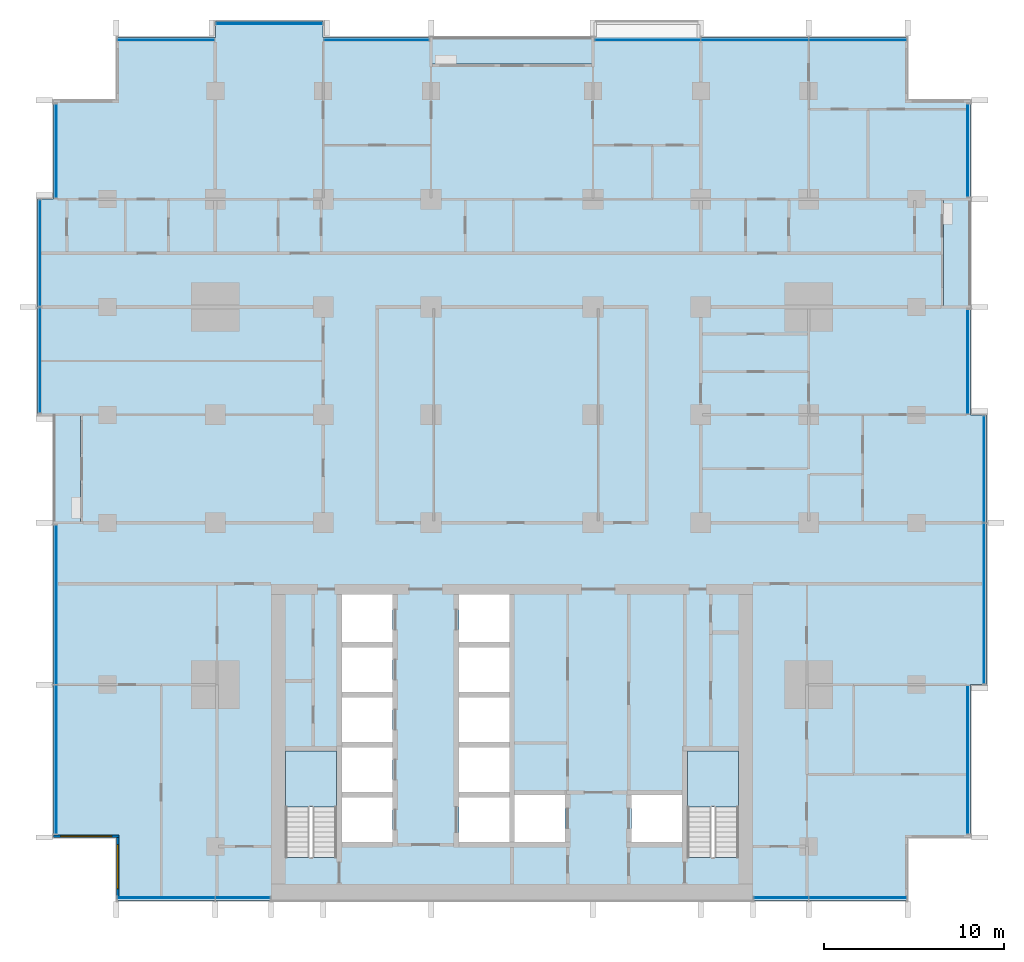
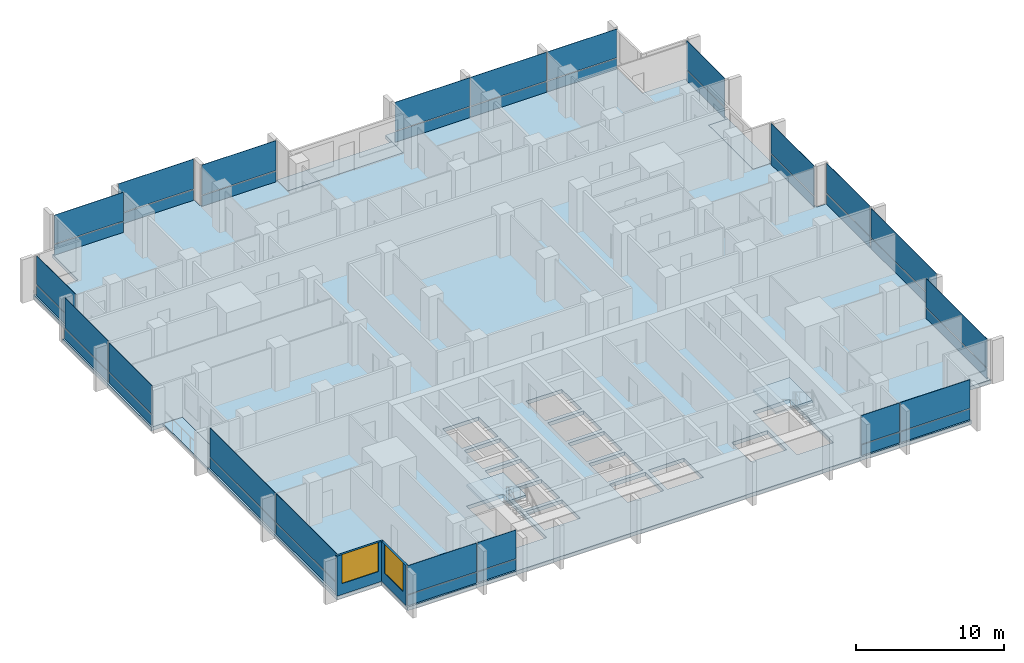
# One storey, part 6 of 17: 40 plates, 6 slabs, 2 walls, 2 windows, 2 openings, 17 elements without a shape of their own.
"""IFC4 building model written with IfcOpenShell, lengths in metres."""

from ifc_helpers import new_model, si_unit, direction, frame, frame_2d, origin, origin_2d, place, context, subcontext, project, spatial, polyline, rectangle, outline, extrude, material, layer, layer_set, type_object, element, fill, aggregate, save


model = new_model("IFC4")

# Units and contexts
model_context = context("Model", 3, precision=1e-05, world=origin(), true_north=direction((0.0, 1.0)))
body_context = subcontext(model_context, "Body", "Model", "MODEL_VIEW")
ifc_project = project(units=[si_unit("LENGTHUNIT", "METRE"), si_unit("AREAUNIT", "SQUARE_METRE"), si_unit("VOLUMEUNIT", "CUBIC_METRE"), si_unit("PLANEANGLEUNIT", "RADIAN"), si_unit("MASSUNIT", "GRAM", prefix="KILO")], contexts=[model_context])

# Site, building, storey
site_placement = place(None, origin())
site = spatial("IfcSite", under=ifc_project, at=site_placement, CompositionType="ELEMENT")
building_placement = place(site_placement, origin())
building = spatial("IfcBuilding", under=site, at=building_placement, Name="Finial Court Residences", CompositionType="ELEMENT")
storey_placement = place(building_placement, frame((0.0, 0.0, 91.89990234375)))
storey = spatial("IfcBuildingStorey", under=building, at=storey_placement, Name="L22", CompositionType="ELEMENT", Elevation=91.89990234375)

# Slabs
ifc_material_1 = material(Name="Concrete C35/45", Category="concrete")
ifc_layer_1 = layer(ifc_material_1, 0.199951171875)
ifc_layer_set_1 = layer_set([ifc_layer_1], Name="Balcony slab, Concrete C35/45 200")
slab_type_1 = type_object("IfcSlabType", Name="Balcony slab, Concrete C35/45 200", PredefinedType="FLOOR", material=ifc_layer_set_1)
slab_1_placement = place(storey_placement, frame((0.0, 0.0, -0.199951171875)))
element("IfcSlab", 1, at=slab_1_placement, inside=storey, type_object=slab_type_1, Name="Balcony L22-N4", PredefinedType="FLOOR", context=body_context, shape_type="SweptSolid", body=[
    extrude(outline(polyline([(4.5, 21.0), (4.5, 22.5), (-4.5, 22.5), (-4.5, 21.0), (4.5, 21.0)])), origin(), (0.0, 0.0, 1.0), 0.199951171875),
])
slab_2_placement = place(storey_placement, frame((0.0, 0.0, -0.199951171875)))
element("IfcSlab", 2, at=slab_2_placement, inside=storey, type_object=slab_type_1, Name="Balcony L22-E5", PredefinedType="FLOOR", context=body_context, shape_type="SweptSolid", body=[
    extrude(outline(polyline([(25.5, 7.5), (25.5, 13.5), (24.0, 13.5), (24.0, 7.5), (25.5, 7.5)])), origin(), (0.0, 0.0, 1.0), 0.199951171875),
])
slab_3_placement = place(storey_placement, frame((0.0, 0.0, -0.199951171875)))
element("IfcSlab", 3, at=slab_3_placement, inside=storey, type_object=slab_type_1, Name="Balcony L22-W3", PredefinedType="FLOOR", context=body_context, shape_type="SweptSolid", body=[
    extrude(outline(polyline([(-24.0, -4.5), (-24.0, 1.5), (-25.5, 1.5), (-25.5, -4.5), (-24.0, -4.5)])), origin(), (0.0, 0.0, 1.0), 0.199951171875),
])

# Curtain wall, plate
ifc_material_2 = material(Name="Bronze anodised aluminium", Category="aluminium")
curtain_wall_type = type_object("IfcCurtainWallType", Name="Unitised curtain wall, lower and middle zones", PredefinedType="NOTDEFINED", material=ifc_material_2)
curtain_wall_1_placement = place(storey_placement, origin())
curtain_wall_1 = element("IfcCurtainWall", 4, at=curtain_wall_1_placement, inside=storey, type_object=curtain_wall_type, Name="E-L22-CW-N1", PredefinedType="NOTDEFINED")
ifc_layer_2 = layer(ifc_material_2, 0.0400390625)
ifc_layer_set_2 = layer_set([ifc_layer_2], Name="CW1 spandrel panel 40")
plate_type_1 = type_object("IfcPlateType", Name="CW1 spandrel panel 40", PredefinedType="CURTAIN_PANEL", material=ifc_layer_set_2)
plate_1_placement = place(storey_placement, frame((-19.25, 22.35009765625, 0.0), z_axis=(0.0, 0.0, 1.0), x_axis=(1.0, 0.0, 0.0)))
plate_1 = element("IfcPlate", 5, at=plate_1_placement, type_object=plate_type_1, Name="CW1 spandrel 1.1", PredefinedType="CURTAIN_PANEL", context=body_context, shape_type="SweptSolid", body=[
    extrude(rectangle(XDim=5.3701171875, YDim=0.0400390625, at=origin_2d()), origin(), (0.0, 0.0, 1.0), 0.867431640625),
])

curtain_wall_2_placement = place(storey_placement, origin())
curtain_wall_2 = element("IfcCurtainWall", 6, at=curtain_wall_2_placement, inside=storey, type_object=curtain_wall_type, Name="E-L22-CW-N2", PredefinedType="NOTDEFINED")
plate_2_placement = place(storey_placement, frame((-13.5, 23.25, 0.0), z_axis=(0.0, 0.0, 1.0), x_axis=(1.0, 0.0, 0.0)))
plate_2 = element("IfcPlate", 7, at=plate_2_placement, type_object=plate_type_1, Name="CW1 spandrel 1.1", PredefinedType="CURTAIN_PANEL", context=body_context, shape_type="SweptSolid", body=[
    extrude(rectangle(XDim=5.8701171875, YDim=0.0400390625, at=origin_2d()), origin(), (0.0, 0.0, 1.0), 0.867431640625),
])

curtain_wall_3_placement = place(storey_placement, origin())
curtain_wall_3 = element("IfcCurtainWall", 8, at=curtain_wall_3_placement, inside=storey, type_object=curtain_wall_type, Name="E-L22-CW-N3", PredefinedType="NOTDEFINED")
plate_3_placement = place(storey_placement, frame((-7.53759765625, 22.35009765625, 0.0), z_axis=(0.0, 0.0, 1.0), x_axis=(1.0, 0.0, 0.0)))
plate_3 = element("IfcPlate", 9, at=plate_3_placement, type_object=plate_type_1, Name="CW1 spandrel 1.1", PredefinedType="CURTAIN_PANEL", context=body_context, shape_type="SweptSolid", body=[
    extrude(rectangle(XDim=5.794921875, YDim=0.0400390625, at=origin_2d()), origin(), (0.0, 0.0, 1.0), 0.867431640625),
])

# Curtain wall, plates
curtain_wall_4_placement = place(storey_placement, origin())
curtain_wall_4 = element("IfcCurtainWall", 10, at=curtain_wall_4_placement, inside=storey, type_object=curtain_wall_type, Name="E-L22-CW-N4", PredefinedType="NOTDEFINED")
plate_4_placement = place(storey_placement, frame((7.5537109375, 22.35009765625, 0.0), z_axis=(0.0, 0.0, 1.0), x_axis=(1.0, 0.0, 0.0)))
plate_4 = element("IfcPlate", 11, at=plate_4_placement, type_object=plate_type_1, Name="CW1 spandrel 1.1", PredefinedType="CURTAIN_PANEL", context=body_context, shape_type="SweptSolid", body=[
    extrude(rectangle(XDim=5.827392578125, YDim=0.0400390625, at=origin_2d()), origin(), (0.0, 0.0, 1.0), 0.867431640625),
])
plate_5_placement = place(storey_placement, frame((13.5, 22.35009765625, 0.0), z_axis=(0.0, 0.0, 1.0), x_axis=(1.0, 0.0, 0.0)))
plate_5 = element("IfcPlate", 12, at=plate_5_placement, type_object=plate_type_1, Name="CW1 spandrel 2.1", PredefinedType="CURTAIN_PANEL", context=body_context, shape_type="SweptSolid", body=[
    extrude(rectangle(XDim=5.93505859375, YDim=0.0400390625, at=origin_2d()), origin(), (0.0, 0.0, 1.0), 0.867431640625),
])
plate_6_placement = place(storey_placement, frame((19.23388671875, 22.35009765625, 0.0), z_axis=(0.0, 0.0, 1.0), x_axis=(1.0, 0.0, 0.0)))
plate_6 = element("IfcPlate", 13, at=plate_6_placement, type_object=plate_type_1, Name="CW1 spandrel 3.1", PredefinedType="CURTAIN_PANEL", context=body_context, shape_type="SweptSolid", body=[
    extrude(rectangle(XDim=5.402587890625, YDim=0.0400390625, at=origin_2d()), origin(), (0.0, 0.0, 1.0), 0.867431640625),
])

# Curtain wall, plate
curtain_wall_5_placement = place(storey_placement, origin())
curtain_wall_5 = element("IfcCurtainWall", 14, at=curtain_wall_5_placement, inside=storey, type_object=curtain_wall_type, Name="E-L22-CW-E5", PredefinedType="NOTDEFINED")
plate_7_placement = place(storey_placement, frame((25.35009765625, -17.675048828125, 0.0), z_axis=(0.0, 0.0, 1.0), x_axis=(0.0, 1.0, 0.0)))
plate_7 = element("IfcPlate", 15, at=plate_7_placement, type_object=plate_type_1, Name="CW1 spandrel 1.1", PredefinedType="CURTAIN_PANEL", context=body_context, shape_type="SweptSolid", body=[
    extrude(rectangle(XDim=8.219970703125, YDim=0.0400390625, at=origin_2d()), origin(), (0.0, 0.0, 1.0), 0.867431640625),
])

curtain_wall_6_placement = place(storey_placement, origin())
curtain_wall_6 = element("IfcCurtainWall", 16, at=curtain_wall_6_placement, inside=storey, type_object=curtain_wall_type, Name="E-L22-CW-E6", PredefinedType="NOTDEFINED")
plate_8_placement = place(storey_placement, frame((26.25, -9.0, 0.0), z_axis=(0.0, 0.0, 1.0), x_axis=(0.0, 1.0, 0.0)))
plate_8 = element("IfcPlate", 17, at=plate_8_placement, type_object=plate_type_1, Name="CW1 spandrel 1.1", PredefinedType="CURTAIN_PANEL", context=body_context, shape_type="SweptSolid", body=[
    extrude(rectangle(XDim=8.8701171875, YDim=0.0400390625, at=origin_2d()), origin(), (0.0, 0.0, 1.0), 0.867431640625),
])

curtain_wall_7_placement = place(storey_placement, origin())
curtain_wall_7 = element("IfcCurtainWall", 18, at=curtain_wall_7_placement, inside=storey, type_object=curtain_wall_type, Name="E-L22-CW-E7", PredefinedType="NOTDEFINED")
plate_9_placement = place(storey_placement, frame((26.25, -1.5, 0.0), z_axis=(0.0, 0.0, 1.0), x_axis=(0.0, 1.0, 0.0)))
plate_9 = element("IfcPlate", 19, at=plate_9_placement, type_object=plate_type_1, Name="CW1 spandrel 1.1", PredefinedType="CURTAIN_PANEL", context=body_context, shape_type="SweptSolid", body=[
    extrude(rectangle(XDim=5.8701171875, YDim=0.0400390625, at=origin_2d()), origin(), (0.0, 0.0, 1.0), 0.867431640625),
])

curtain_wall_8_placement = place(storey_placement, origin())
curtain_wall_8 = element("IfcCurtainWall", 20, at=curtain_wall_8_placement, inside=storey, type_object=curtain_wall_type, Name="E-L22-CW-E8", PredefinedType="NOTDEFINED")
plate_10_placement = place(storey_placement, frame((25.35009765625, 4.46240234375, 0.0), z_axis=(0.0, 0.0, 1.0), x_axis=(0.0, 1.0, 0.0)))
plate_10 = element("IfcPlate", 21, at=plate_10_placement, type_object=plate_type_1, Name="CW1 spandrel 1.1", PredefinedType="CURTAIN_PANEL", context=body_context, shape_type="SweptSolid", body=[
    extrude(rectangle(XDim=5.794921875, YDim=0.0400390625, at=origin_2d()), origin(), (0.0, 0.0, 1.0), 0.867431640625),
])

curtain_wall_9_placement = place(storey_placement, origin())
curtain_wall_9 = element("IfcCurtainWall", 22, at=curtain_wall_9_placement, inside=storey, type_object=curtain_wall_type, Name="E-L22-CW-E9", PredefinedType="NOTDEFINED")
plate_11_placement = place(storey_placement, frame((25.35009765625, 16.21240234375, 0.0), z_axis=(0.0, 0.0, 1.0), x_axis=(0.0, 1.0, 0.0)))
plate_11 = element("IfcPlate", 23, at=plate_11_placement, type_object=plate_type_1, Name="CW1 spandrel 1.1", PredefinedType="CURTAIN_PANEL", context=body_context, shape_type="SweptSolid", body=[
    extrude(rectangle(XDim=5.14501953125, YDim=0.0400390625, at=origin_2d()), origin(), (0.0, 0.0, 1.0), 0.867431640625),
])

# Curtain wall, plates
curtain_wall_10_placement = place(storey_placement, origin())
curtain_wall_10 = element("IfcCurtainWall", 24, at=curtain_wall_10_placement, inside=storey, type_object=curtain_wall_type, Name="E-L22-CW-S10", PredefinedType="NOTDEFINED")
plate_12_placement = place(storey_placement, frame((-19.23388671875, -25.35009765625, 0.0), z_axis=(0.0, 0.0, 1.0), x_axis=(1.0, 0.0, 0.0)))
plate_12 = element("IfcPlate", 25, at=plate_12_placement, type_object=plate_type_1, Name="CW1 spandrel 1.1", PredefinedType="CURTAIN_PANEL", context=body_context, shape_type="SweptSolid", body=[
    extrude(rectangle(XDim=5.402587890625, YDim=0.0400390625, at=origin_2d()), origin(), (0.0, 0.0, 1.0), 0.867431640625),
])
plate_13_placement = place(storey_placement, frame((-14.96630859375, -25.35009765625, 0.0), z_axis=(0.0, 0.0, 1.0), x_axis=(1.0, 0.0, 0.0)))
plate_13 = element("IfcPlate", 26, at=plate_13_placement, type_object=plate_type_1, Name="CW1 spandrel 2.1", PredefinedType="CURTAIN_PANEL", context=body_context, shape_type="SweptSolid", body=[
    extrude(rectangle(XDim=3.00244140625, YDim=0.0400390625, at=origin_2d()), origin(), (0.0, 0.0, 1.0), 0.867431640625),
])

curtain_wall_11_placement = place(storey_placement, origin())
curtain_wall_11 = element("IfcCurtainWall", 27, at=curtain_wall_11_placement, inside=storey, type_object=curtain_wall_type, Name="E-L22-CW-S11", PredefinedType="NOTDEFINED")
plate_14_placement = place(storey_placement, frame((14.96630859375, -25.35009765625, 0.0), z_axis=(0.0, 0.0, 1.0), x_axis=(1.0, 0.0, 0.0)))
plate_14 = element("IfcPlate", 28, at=plate_14_placement, type_object=plate_type_1, Name="CW1 spandrel 1.1", PredefinedType="CURTAIN_PANEL", context=body_context, shape_type="SweptSolid", body=[
    extrude(rectangle(XDim=3.00244140625, YDim=0.0400390625, at=origin_2d()), origin(), (0.0, 0.0, 1.0), 0.867431640625),
])
plate_15_placement = place(storey_placement, frame((19.23388671875, -25.35009765625, 0.0), z_axis=(0.0, 0.0, 1.0), x_axis=(1.0, 0.0, 0.0)))
plate_15 = element("IfcPlate", 29, at=plate_15_placement, type_object=plate_type_1, Name="CW1 spandrel 2.1", PredefinedType="CURTAIN_PANEL", context=body_context, shape_type="SweptSolid", body=[
    extrude(rectangle(XDim=5.402587890625, YDim=0.0400390625, at=origin_2d()), origin(), (0.0, 0.0, 1.0), 0.867431640625),
])

curtain_wall_12_placement = place(storey_placement, origin())
curtain_wall_12 = element("IfcCurtainWall", 30, at=curtain_wall_12_placement, inside=storey, type_object=curtain_wall_type, Name="E-L22-CW-W12", PredefinedType="NOTDEFINED")
plate_16_placement = place(storey_placement, frame((-25.35009765625, -17.65869140625, 0.0), z_axis=(0.0, 0.0, 1.0), x_axis=(0.0, 1.0, 0.0)))
plate_16 = element("IfcPlate", 31, at=plate_16_placement, type_object=plate_type_1, Name="CW1 spandrel 1.1", PredefinedType="CURTAIN_PANEL", context=body_context, shape_type="SweptSolid", body=[
    extrude(rectangle(XDim=8.25244140625, YDim=0.0400390625, at=origin_2d()), origin(), (0.0, 0.0, 1.0), 0.867431640625),
])
plate_17_placement = place(storey_placement, frame((-25.35009765625, -9.0537109375, 0.0), z_axis=(0.0, 0.0, 1.0), x_axis=(0.0, 1.0, 0.0)))
plate_17 = element("IfcPlate", 32, at=plate_17_placement, type_object=plate_type_1, Name="CW1 spandrel 2.1", PredefinedType="CURTAIN_PANEL", context=body_context, shape_type="SweptSolid", body=[
    extrude(rectangle(XDim=8.827392578125, YDim=0.0400390625, at=origin_2d()), origin(), (0.0, 0.0, 1.0), 0.867431640625),
])

# Curtain wall, plate
curtain_wall_13_placement = place(storey_placement, origin())
curtain_wall_13 = element("IfcCurtainWall", 33, at=curtain_wall_13_placement, inside=storey, type_object=curtain_wall_type, Name="E-L22-CW-W13", PredefinedType="NOTDEFINED")
plate_18_placement = place(storey_placement, frame((-26.25, 4.53759765625, 0.0), z_axis=(0.0, 0.0, 1.0), x_axis=(0.0, 1.0, 0.0)))
plate_18 = element("IfcPlate", 34, at=plate_18_placement, type_object=plate_type_1, Name="CW1 spandrel 1.1", PredefinedType="CURTAIN_PANEL", context=body_context, shape_type="SweptSolid", body=[
    extrude(rectangle(XDim=5.794921875, YDim=0.0400390625, at=origin_2d()), origin(), (0.0, 0.0, 1.0), 0.867431640625),
])

curtain_wall_14_placement = place(storey_placement, origin())
curtain_wall_14 = element("IfcCurtainWall", 35, at=curtain_wall_14_placement, inside=storey, type_object=curtain_wall_type, Name="E-L22-CW-W14", PredefinedType="NOTDEFINED")
plate_19_placement = place(storey_placement, frame((-26.25, 10.5, 0.0), z_axis=(0.0, 0.0, 1.0), x_axis=(0.0, 1.0, 0.0)))
plate_19 = element("IfcPlate", 36, at=plate_19_placement, type_object=plate_type_1, Name="CW1 spandrel 1.1", PredefinedType="CURTAIN_PANEL", context=body_context, shape_type="SweptSolid", body=[
    extrude(rectangle(XDim=5.8701171875, YDim=0.0400390625, at=origin_2d()), origin(), (0.0, 0.0, 1.0), 0.867431640625),
])

curtain_wall_15_placement = place(storey_placement, origin())
curtain_wall_15 = element("IfcCurtainWall", 37, at=curtain_wall_15_placement, inside=storey, type_object=curtain_wall_type, Name="E-L22-CW-W15", PredefinedType="NOTDEFINED")
plate_20_placement = place(storey_placement, frame((-25.35009765625, 16.175048828125, 0.0), z_axis=(0.0, 0.0, 1.0), x_axis=(0.0, 1.0, 0.0)))
plate_20 = element("IfcPlate", 38, at=plate_20_placement, type_object=plate_type_1, Name="CW1 spandrel 1.1", PredefinedType="CURTAIN_PANEL", context=body_context, shape_type="SweptSolid", body=[
    extrude(rectangle(XDim=5.219970703125, YDim=0.0400390625, at=origin_2d()), origin(), (0.0, 0.0, 1.0), 0.867431640625),
])

# Plate
ifc_material_3 = material(Name="Clear low-e glass", Category="glass")
ifc_layer_3 = layer(ifc_material_3, 0.031982421875)
ifc_layer_set_3 = layer_set([ifc_layer_3], Name="CW1 vision glass 32")
plate_type_2 = type_object("IfcPlateType", Name="CW1 vision glass 32", PredefinedType="CURTAIN_PANEL", material=ifc_layer_set_3)
plate_21_placement = place(storey_placement, frame((-19.25, 22.35009765625, 0.9326171875), z_axis=(0.0, 0.0, 1.0), x_axis=(1.0, 0.0, 0.0)))
plate_21 = element("IfcPlate", 39, at=plate_21_placement, type_object=plate_type_2, Name="CW1 glass 1.2", PredefinedType="CURTAIN_PANEL", context=body_context, shape_type="SweptSolid", body=[
    extrude(rectangle(XDim=5.3701171875, YDim=0.031982421875, at=origin_2d()), origin(), (0.0, 0.0, 1.0), 2.367431640625),
])

aggregate(curtain_wall_1, [plate_1, plate_21])

plate_22_placement = place(storey_placement, frame((-13.5, 23.25, 0.9326171875), z_axis=(0.0, 0.0, 1.0), x_axis=(1.0, 0.0, 0.0)))
plate_22 = element("IfcPlate", 40, at=plate_22_placement, type_object=plate_type_2, Name="CW1 glass 1.2", PredefinedType="CURTAIN_PANEL", context=body_context, shape_type="SweptSolid", body=[
    extrude(rectangle(XDim=5.8701171875, YDim=0.031982421875, at=origin_2d()), origin(), (0.0, 0.0, 1.0), 2.467529296875),
])

aggregate(curtain_wall_2, [plate_2, plate_22])

plate_23_placement = place(storey_placement, frame((-7.53759765625, 22.35009765625, 0.9326171875), z_axis=(0.0, 0.0, 1.0), x_axis=(1.0, 0.0, 0.0)))
plate_23 = element("IfcPlate", 41, at=plate_23_placement, type_object=plate_type_2, Name="CW1 glass 1.2", PredefinedType="CURTAIN_PANEL", context=body_context, shape_type="SweptSolid", body=[
    extrude(rectangle(XDim=5.794921875, YDim=0.031982421875, at=origin_2d()), origin(), (0.0, 0.0, 1.0), 2.467529296875),
])

aggregate(curtain_wall_3, [plate_3, plate_23])

plate_24_placement = place(storey_placement, frame((7.5537109375, 22.35009765625, 0.9326171875), z_axis=(0.0, 0.0, 1.0), x_axis=(1.0, 0.0, 0.0)))
plate_24 = element("IfcPlate", 42, at=plate_24_placement, type_object=plate_type_2, Name="CW1 glass 1.2", PredefinedType="CURTAIN_PANEL", context=body_context, shape_type="SweptSolid", body=[
    extrude(rectangle(XDim=5.827392578125, YDim=0.031982421875, at=origin_2d()), origin(), (0.0, 0.0, 1.0), 2.367431640625),
])

plate_25_placement = place(storey_placement, frame((13.5, 22.35009765625, 0.9326171875), z_axis=(0.0, 0.0, 1.0), x_axis=(1.0, 0.0, 0.0)))
plate_25 = element("IfcPlate", 43, at=plate_25_placement, type_object=plate_type_2, Name="CW1 glass 2.2", PredefinedType="CURTAIN_PANEL", context=body_context, shape_type="SweptSolid", body=[
    extrude(rectangle(XDim=5.93505859375, YDim=0.031982421875, at=origin_2d()), origin(), (0.0, 0.0, 1.0), 2.367431640625),
])

plate_26_placement = place(storey_placement, frame((19.23388671875, 22.35009765625, 0.9326171875), z_axis=(0.0, 0.0, 1.0), x_axis=(1.0, 0.0, 0.0)))
plate_26 = element("IfcPlate", 44, at=plate_26_placement, type_object=plate_type_2, Name="CW1 glass 3.2", PredefinedType="CURTAIN_PANEL", context=body_context, shape_type="SweptSolid", body=[
    extrude(rectangle(XDim=5.402587890625, YDim=0.031982421875, at=origin_2d()), origin(), (0.0, 0.0, 1.0), 2.367431640625),
])

aggregate(curtain_wall_4, [plate_4, plate_24, plate_5, plate_25, plate_6, plate_26])

plate_27_placement = place(storey_placement, frame((25.35009765625, -17.675048828125, 0.9326171875), z_axis=(0.0, 0.0, 1.0), x_axis=(0.0, 1.0, 0.0)))
plate_27 = element("IfcPlate", 45, at=plate_27_placement, type_object=plate_type_2, Name="CW1 glass 1.2", PredefinedType="CURTAIN_PANEL", context=body_context, shape_type="SweptSolid", body=[
    extrude(rectangle(XDim=8.219970703125, YDim=0.031982421875, at=origin_2d()), origin(), (0.0, 0.0, 1.0), 2.367431640625),
])

aggregate(curtain_wall_5, [plate_7, plate_27])

plate_28_placement = place(storey_placement, frame((26.25, -9.0, 0.9326171875), z_axis=(0.0, 0.0, 1.0), x_axis=(0.0, 1.0, 0.0)))
plate_28 = element("IfcPlate", 46, at=plate_28_placement, type_object=plate_type_2, Name="CW1 glass 1.2", PredefinedType="CURTAIN_PANEL", context=body_context, shape_type="SweptSolid", body=[
    extrude(rectangle(XDim=8.8701171875, YDim=0.031982421875, at=origin_2d()), origin(), (0.0, 0.0, 1.0), 2.367431640625),
])

aggregate(curtain_wall_6, [plate_8, plate_28])

plate_29_placement = place(storey_placement, frame((26.25, -1.5, 0.9326171875), z_axis=(0.0, 0.0, 1.0), x_axis=(0.0, 1.0, 0.0)))
plate_29 = element("IfcPlate", 47, at=plate_29_placement, type_object=plate_type_2, Name="CW1 glass 1.2", PredefinedType="CURTAIN_PANEL", context=body_context, shape_type="SweptSolid", body=[
    extrude(rectangle(XDim=5.8701171875, YDim=0.031982421875, at=origin_2d()), origin(), (0.0, 0.0, 1.0), 2.467529296875),
])

aggregate(curtain_wall_7, [plate_9, plate_29])

plate_30_placement = place(storey_placement, frame((25.35009765625, 4.46240234375, 0.9326171875), z_axis=(0.0, 0.0, 1.0), x_axis=(0.0, 1.0, 0.0)))
plate_30 = element("IfcPlate", 48, at=plate_30_placement, type_object=plate_type_2, Name="CW1 glass 1.2", PredefinedType="CURTAIN_PANEL", context=body_context, shape_type="SweptSolid", body=[
    extrude(rectangle(XDim=5.794921875, YDim=0.031982421875, at=origin_2d()), origin(), (0.0, 0.0, 1.0), 2.467529296875),
])

aggregate(curtain_wall_8, [plate_10, plate_30])

plate_31_placement = place(storey_placement, frame((25.35009765625, 16.21240234375, 0.9326171875), z_axis=(0.0, 0.0, 1.0), x_axis=(0.0, 1.0, 0.0)))
plate_31 = element("IfcPlate", 49, at=plate_31_placement, type_object=plate_type_2, Name="CW1 glass 1.2", PredefinedType="CURTAIN_PANEL", context=body_context, shape_type="SweptSolid", body=[
    extrude(rectangle(XDim=5.14501953125, YDim=0.031982421875, at=origin_2d()), origin(), (0.0, 0.0, 1.0), 2.367431640625),
])

aggregate(curtain_wall_9, [plate_11, plate_31])

plate_32_placement = place(storey_placement, frame((-19.23388671875, -25.35009765625, 0.9326171875), z_axis=(0.0, 0.0, 1.0), x_axis=(1.0, 0.0, 0.0)))
plate_32 = element("IfcPlate", 50, at=plate_32_placement, type_object=plate_type_2, Name="CW1 glass 1.2", PredefinedType="CURTAIN_PANEL", context=body_context, shape_type="SweptSolid", body=[
    extrude(rectangle(XDim=5.402587890625, YDim=0.031982421875, at=origin_2d()), origin(), (0.0, 0.0, 1.0), 2.367431640625),
])

plate_33_placement = place(storey_placement, frame((-14.96630859375, -25.35009765625, 0.9326171875), z_axis=(0.0, 0.0, 1.0), x_axis=(1.0, 0.0, 0.0)))
plate_33 = element("IfcPlate", 51, at=plate_33_placement, type_object=plate_type_2, Name="CW1 glass 2.2", PredefinedType="CURTAIN_PANEL", context=body_context, shape_type="SweptSolid", body=[
    extrude(rectangle(XDim=3.00244140625, YDim=0.031982421875, at=origin_2d()), origin(), (0.0, 0.0, 1.0), 2.367431640625),
])

aggregate(curtain_wall_10, [plate_12, plate_32, plate_13, plate_33])

plate_34_placement = place(storey_placement, frame((14.96630859375, -25.35009765625, 0.9326171875), z_axis=(0.0, 0.0, 1.0), x_axis=(1.0, 0.0, 0.0)))
plate_34 = element("IfcPlate", 52, at=plate_34_placement, type_object=plate_type_2, Name="CW1 glass 1.2", PredefinedType="CURTAIN_PANEL", context=body_context, shape_type="SweptSolid", body=[
    extrude(rectangle(XDim=3.00244140625, YDim=0.031982421875, at=origin_2d()), origin(), (0.0, 0.0, 1.0), 2.367431640625),
])

plate_35_placement = place(storey_placement, frame((19.23388671875, -25.35009765625, 0.9326171875), z_axis=(0.0, 0.0, 1.0), x_axis=(1.0, 0.0, 0.0)))
plate_35 = element("IfcPlate", 53, at=plate_35_placement, type_object=plate_type_2, Name="CW1 glass 2.2", PredefinedType="CURTAIN_PANEL", context=body_context, shape_type="SweptSolid", body=[
    extrude(rectangle(XDim=5.402587890625, YDim=0.031982421875, at=origin_2d()), origin(), (0.0, 0.0, 1.0), 2.367431640625),
])

aggregate(curtain_wall_11, [plate_14, plate_34, plate_15, plate_35])

plate_36_placement = place(storey_placement, frame((-25.35009765625, -17.65869140625, 0.9326171875), z_axis=(0.0, 0.0, 1.0), x_axis=(0.0, 1.0, 0.0)))
plate_36 = element("IfcPlate", 54, at=plate_36_placement, type_object=plate_type_2, Name="CW1 glass 1.2", PredefinedType="CURTAIN_PANEL", context=body_context, shape_type="SweptSolid", body=[
    extrude(rectangle(XDim=8.25244140625, YDim=0.031982421875, at=origin_2d()), origin(), (0.0, 0.0, 1.0), 2.367431640625),
])

plate_37_placement = place(storey_placement, frame((-25.35009765625, -9.0537109375, 0.9326171875), z_axis=(0.0, 0.0, 1.0), x_axis=(0.0, 1.0, 0.0)))
plate_37 = element("IfcPlate", 55, at=plate_37_placement, type_object=plate_type_2, Name="CW1 glass 2.2", PredefinedType="CURTAIN_PANEL", context=body_context, shape_type="SweptSolid", body=[
    extrude(rectangle(XDim=8.827392578125, YDim=0.031982421875, at=origin_2d()), origin(), (0.0, 0.0, 1.0), 2.367431640625),
])

aggregate(curtain_wall_12, [plate_16, plate_36, plate_17, plate_37])

plate_38_placement = place(storey_placement, frame((-26.25, 4.53759765625, 0.9326171875), z_axis=(0.0, 0.0, 1.0), x_axis=(0.0, 1.0, 0.0)))
plate_38 = element("IfcPlate", 56, at=plate_38_placement, type_object=plate_type_2, Name="CW1 glass 1.2", PredefinedType="CURTAIN_PANEL", context=body_context, shape_type="SweptSolid", body=[
    extrude(rectangle(XDim=5.794921875, YDim=0.031982421875, at=origin_2d()), origin(), (0.0, 0.0, 1.0), 2.367431640625),
])

aggregate(curtain_wall_13, [plate_18, plate_38])

plate_39_placement = place(storey_placement, frame((-26.25, 10.5, 0.9326171875), z_axis=(0.0, 0.0, 1.0), x_axis=(0.0, 1.0, 0.0)))
plate_39 = element("IfcPlate", 57, at=plate_39_placement, type_object=plate_type_2, Name="CW1 glass 1.2", PredefinedType="CURTAIN_PANEL", context=body_context, shape_type="SweptSolid", body=[
    extrude(rectangle(XDim=5.8701171875, YDim=0.031982421875, at=origin_2d()), origin(), (0.0, 0.0, 1.0), 2.467529296875),
])

aggregate(curtain_wall_14, [plate_19, plate_39])

plate_40_placement = place(storey_placement, frame((-25.35009765625, 16.175048828125, 0.9326171875), z_axis=(0.0, 0.0, 1.0), x_axis=(0.0, 1.0, 0.0)))
plate_40 = element("IfcPlate", 58, at=plate_40_placement, type_object=plate_type_2, Name="CW1 glass 1.2", PredefinedType="CURTAIN_PANEL", context=body_context, shape_type="SweptSolid", body=[
    extrude(rectangle(XDim=5.219970703125, YDim=0.031982421875, at=origin_2d()), origin(), (0.0, 0.0, 1.0), 2.367431640625),
])

aggregate(curtain_wall_15, [plate_20, plate_40])

# Stair, slab
ifc_material_4 = material(Name="Concrete C50/60", Category="concrete")
stair_type = type_object("IfcStairType", Name="Exit stair 22 risers of 163.6 mm", PredefinedType="HALF_TURN_STAIR", material=ifc_material_4)
stair_1_placement = place(storey_placement, origin())
stair_1 = element("IfcStair", 59, at=stair_1_placement, inside=storey, type_object=stair_type, Name="L22 Exit stair ST-1", PredefinedType="HALF_TURN_STAIR")
ifc_layer_4 = layer(ifc_material_4, 0.199951171875)
ifc_layer_set_4 = layer_set([ifc_layer_4], Name="Exit stair landing")
slab_type_2 = type_object("IfcSlabType", Name="Exit stair landing", PredefinedType="LANDING", material=ifc_layer_set_4)
slab_4_placement = place(storey_placement, frame((0.0, 0.0, 1.60009765625)))
slab_4 = element("IfcSlab", 60, at=slab_4_placement, type_object=slab_type_2, Name="ST-1 landing 1", PredefinedType="LANDING", context=body_context, shape_type="SweptSolid", body=[
    extrude(outline(polyline([(-9.75, -20.300048828125), (-9.75, -17.199951171875), (-12.60009765625, -17.199951171875), (-12.60009765625, -20.300048828125), (-9.75, -20.300048828125)])), origin(), (0.0, 0.0, 1.0), 0.199951171875),
])
aggregate(stair_1, [slab_4])

stair_2_placement = place(storey_placement, origin())
stair_2 = element("IfcStair", 61, at=stair_2_placement, inside=storey, type_object=stair_type, Name="L22 Exit stair ST-2", PredefinedType="HALF_TURN_STAIR")
slab_5_placement = place(storey_placement, frame((0.0, 0.0, 1.60009765625)))
slab_5 = element("IfcSlab", 62, at=slab_5_placement, type_object=slab_type_2, Name="ST-2 landing 1", PredefinedType="LANDING", context=body_context, shape_type="SweptSolid", body=[
    extrude(outline(polyline([(12.60009765625, -20.300048828125), (12.60009765625, -17.199951171875), (9.75, -17.199951171875), (9.75, -20.300048828125), (12.60009765625, -20.300048828125)])), origin(), (0.0, 0.0, 1.0), 0.199951171875),
])
aggregate(stair_2, [slab_5])

# Slab
ifc_material_5 = material(Name="Concrete C40/50", Category="concrete")
ifc_layer_5 = layer(ifc_material_5, 0.300048828125)
ifc_layer_set_5 = layer_set([ifc_layer_5], Name="Flat plate slab 300 Concrete C40/50")
slab_type_3 = type_object("IfcSlabType", Name="Flat plate slab 300 Concrete C40/50", PredefinedType="FLOOR", material=ifc_layer_set_5)
slab_6_placement = place(storey_placement, frame((0.0, 0.0, -0.2998046875)))
element("IfcSlab", 63, at=slab_6_placement, inside=storey, type_object=slab_type_3, Name="S:SLAB:L22", PredefinedType="FLOOR", context=body_context, shape_type="SweptSolid", body=[
    extrude(outline(polyline([(-22.0, -25.5), (-22.0, -22.0), (-25.5, -22.0), (-25.5, -4.5), (-24.0, -4.5), (-24.0, 1.5), (-25.5, 1.5), (-26.39990234375, 1.5), (-26.39990234375, 7.5), (-26.39990234375, 13.5), (-25.5, 13.5), (-25.5, 19.0), (-22.0, 19.0), (-22.0, 22.5), (-16.5, 22.5), (-16.5, 23.39990234375), (-10.5, 23.39990234375), (-10.5, 22.5), (-4.5, 22.5), (-4.5, 21.0), (4.5, 21.0), (4.5, 22.5), (4.5, 23.39990234375), (10.5, 23.39990234375), (10.5, 22.5), (22.0, 22.5), (22.0, 19.0), (25.5, 19.0), (25.5, 13.5), (24.0, 13.5), (24.0, 7.5), (25.5, 7.5), (25.5, 1.5), (26.39990234375, 1.5), (26.39990234375, -4.5), (26.39990234375, -13.5), (25.5, -13.5), (25.5, -22.0), (22.0, -22.0), (22.0, -25.5), (-22.0, -25.5)]), holes=[polyline([(-6.64990234375, -19.77001953125), (-9.449951171875, -19.77001953125), (-9.449951171875, -22.25), (-6.64990234375, -22.25), (-6.64990234375, -19.77001953125)]), polyline([(-9.75, -17.199951171875), (-12.60009765625, -17.199951171875), (-12.60009765625, -23.09912109375), (-9.75, -23.09912109375), (-9.75, -17.199951171875)]), polyline([(-6.64990234375, -19.469970703125), (-6.64990234375, -16.989990234375), (-9.449951171875, -16.989990234375), (-9.449951171875, -19.469970703125), (-6.64990234375, -19.469970703125)]), polyline([(-6.64990234375, -16.68994140625), (-6.64990234375, -14.2099609375), (-9.449951171875, -14.2099609375), (-9.449951171875, -16.68994140625), (-6.64990234375, -16.68994140625)]), polyline([(-6.64990234375, -13.909912109375), (-6.64990234375, -11.429931640625), (-9.449951171875, -11.429931640625), (-9.449951171875, -13.909912109375), (-6.64990234375, -13.909912109375)]), polyline([(-6.64990234375, -11.1298828125), (-6.64990234375, -8.5), (-9.449951171875, -8.5), (-9.449951171875, -11.1298828125), (-6.64990234375, -11.1298828125)]), polyline([(-0.14990234375, -11.1298828125), (-0.14990234375, -8.5), (-2.949951171875, -8.5), (-2.949951171875, -11.1298828125), (-0.14990234375, -11.1298828125)]), polyline([(-0.14990234375, -19.77001953125), (-2.949951171875, -19.77001953125), (-2.949951171875, -22.25), (-0.14990234375, -22.25), (-0.14990234375, -19.77001953125)]), polyline([(2.949951171875, -22.25), (2.949951171875, -19.64990234375), (0.14990234375, -19.64990234375), (0.14990234375, -22.25), (2.949951171875, -22.25)]), polyline([(9.449951171875, -22.25), (9.449951171875, -19.64990234375), (6.64990234375, -19.64990234375), (6.64990234375, -22.25), (9.449951171875, -22.25)]), polyline([(12.60009765625, -17.199951171875), (9.75, -17.199951171875), (9.75, -23.09912109375), (12.60009765625, -23.09912109375), (12.60009765625, -17.199951171875)]), polyline([(-0.14990234375, -19.469970703125), (-0.14990234375, -16.989990234375), (-2.949951171875, -16.989990234375), (-2.949951171875, -19.469970703125), (-0.14990234375, -19.469970703125)]), polyline([(-0.14990234375, -16.68994140625), (-0.14990234375, -14.2099609375), (-2.949951171875, -14.2099609375), (-2.949951171875, -16.68994140625), (-0.14990234375, -16.68994140625)]), polyline([(-0.14990234375, -13.909912109375), (-0.14990234375, -11.429931640625), (-2.949951171875, -11.429931640625), (-2.949951171875, -13.909912109375), (-0.14990234375, -13.909912109375)])]), origin(), (0.0, 0.0, 1.0), 0.2998046875),
])

# Wall, opening, window
ifc_material_6 = material(Name="Natural limestone", Category="masonry")
ifc_layer_6 = layer(ifc_material_6, 0.14990234375)
ifc_layer_set_6 = layer_set([ifc_layer_6], Name="Limestone clad wall 150")
wall_type = type_object("IfcWallType", Name="Limestone clad wall 150", PredefinedType="SOLIDWALL", material=ifc_layer_set_6)
wall_1_placement = place(storey_placement, frame((-21.925048828125, -25.25, 0.0), z_axis=(0.0, 0.0, 1.0), x_axis=(0.0, 1.0, 0.0)))
wall_1 = element("IfcWall", 64, at=wall_1_placement, inside=storey, type_object=wall_type, Name="E-L22-NWW16", PredefinedType="SOLIDWALL", context=body_context, shape_type="SweptSolid", body=[
    extrude(rectangle(XDim=3.25, YDim=0.14990234375, at=frame_2d((1.625, 0.0))), origin(), (0.0, 0.0, 1.0), 3.300048828125),
])
opening_1_placement = place(wall_1_placement, frame((0.39990234375, 0.0, 0.89990234375)))
opening_1 = element("IfcOpeningElement", 65, at=opening_1_placement, cuts=wall_1, Name="Opening WE22-01", PredefinedType="OPENING", context=body_context, shape_type="SweptSolid", body=[
    extrude(rectangle(XDim=2.449951171875, YDim=2.39990234375, at=frame_2d((1.22509765625, 1.199951171875))), frame((0.0, 0.0849609375, 0.0), z_axis=(0.0, -1.0, 0.0), x_axis=(1.0, 0.0, 0.0)), (0.0, 0.0, 1.0), 0.169921875),
])
window_type_1 = type_object("IfcWindowType", Name="Corner window 2450 x 2400", PartitioningType="SINGLE_PANEL", PredefinedType="WINDOW", material=ifc_material_3)
window_1_placement = place(opening_1_placement, origin())
window_1 = element("IfcWindow", 66, at=window_1_placement, inside=storey, type_object=window_type_1, Name="E-L22-NWW16-W1", OverallHeight=2.39990234375, OverallWidth=2.449951171875, PartitioningType="SINGLE_PANEL", PredefinedType="WINDOW", context=body_context, shape_type="SweptSolid", body=[
    extrude(rectangle(XDim=2.449951171875, YDim=2.39990234375, at=frame_2d((1.22509765625, 1.199951171875))), frame((0.0, 0.030029296875, 0.0), z_axis=(0.0, -1.0, 0.0), x_axis=(1.0, 0.0, 0.0)), (0.0, 0.0, 1.0), 0.06005859375),
])
fill(opening_1, window_1)

wall_2_placement = place(storey_placement, frame((-21.85009765625, -21.925048828125, 0.0), z_axis=(0.0, 0.0, 1.0), x_axis=(-1.0, 0.0, 0.0)))
wall_2 = element("IfcWall", 67, at=wall_2_placement, inside=storey, type_object=wall_type, Name="E-L22-NWS17", PredefinedType="SOLIDWALL", context=body_context, shape_type="SweptSolid", body=[
    extrude(rectangle(XDim=3.64990234375, YDim=0.14990234375, at=frame_2d((1.824951171875, 0.0))), origin(), (0.0, 0.0, 1.0), 3.300048828125),
])
opening_2_placement = place(wall_2_placement, frame((0.39990234375, 0.0, 0.89990234375)))
opening_2 = element("IfcOpeningElement", 68, at=opening_2_placement, cuts=wall_2, Name="Opening WE22-02", PredefinedType="OPENING", context=body_context, shape_type="SweptSolid", body=[
    extrude(rectangle(XDim=2.85009765625, YDim=2.39990234375, at=frame_2d((1.425048828125, 1.199951171875))), frame((0.0, 0.0849609375, 0.0), z_axis=(0.0, -1.0, 0.0), x_axis=(1.0, 0.0, 0.0)), (0.0, 0.0, 1.0), 0.169921875),
])
window_type_2 = type_object("IfcWindowType", Name="Corner window 2850 x 2400", PartitioningType="SINGLE_PANEL", PredefinedType="WINDOW", material=ifc_material_3)
window_2_placement = place(opening_2_placement, origin())
window_2 = element("IfcWindow", 69, at=window_2_placement, inside=storey, type_object=window_type_2, Name="E-L22-NWS17-W1", OverallHeight=2.39990234375, OverallWidth=2.85009765625, PartitioningType="SINGLE_PANEL", PredefinedType="WINDOW", context=body_context, shape_type="SweptSolid", body=[
    extrude(rectangle(XDim=2.85009765625, YDim=2.39990234375, at=frame_2d((1.425048828125, 1.199951171875))), frame((0.0, 0.030029296875, 0.0), z_axis=(0.0, -1.0, 0.0), x_axis=(1.0, 0.0, 0.0)), (0.0, 0.0, 1.0), 0.06005859375),
])
fill(opening_2, window_2)

save(model, "model.ifc")
